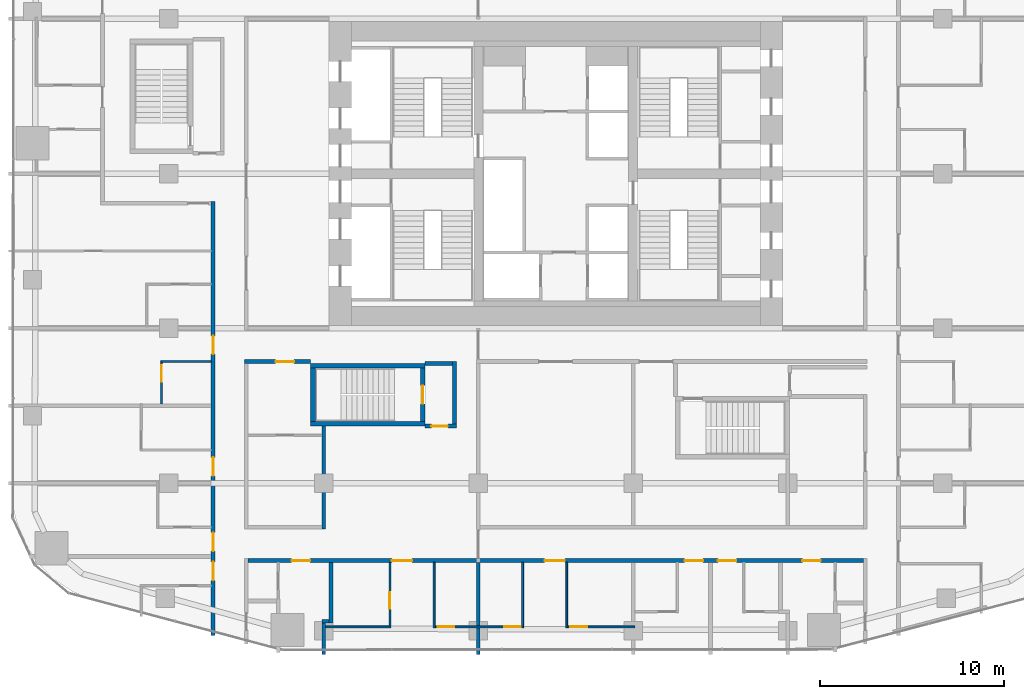
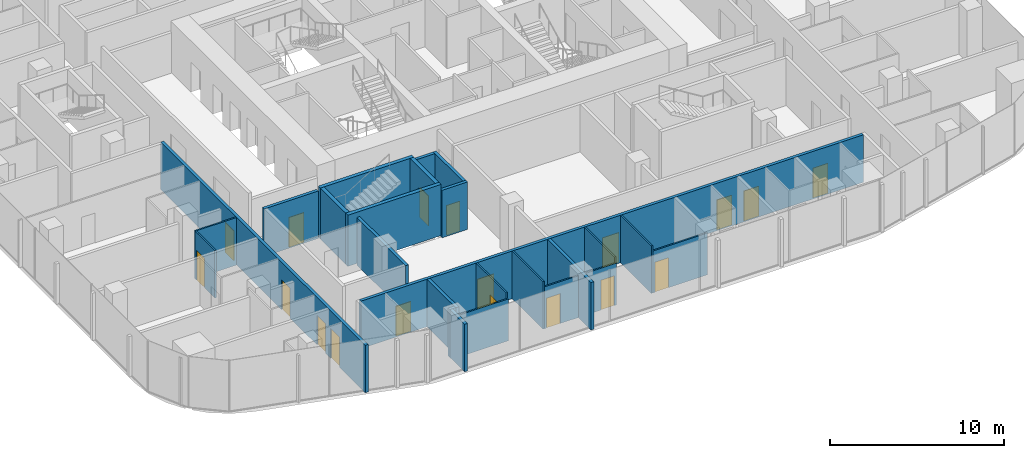
# One storey, part 16 of 26: 24 walls, 18 doors, 18 openings.
"""IFC4 building model written with IfcOpenShell, lengths in metres."""

from ifc_helpers import new_model, si_unit, direction, frame, frame_2d, origin, place, context, subcontext, project, spatial, rectangle, extrude, material, layer, layer_set, type_object, element, fill, save


model = new_model("IFC4")

# Units and contexts
model_context = context("Model", 3, precision=1e-05, world=origin(), true_north=direction((0.0, 1.0)))
body_context = subcontext(model_context, "Body", "Model", "MODEL_VIEW")
ifc_project = project(units=[si_unit("LENGTHUNIT", "METRE"), si_unit("AREAUNIT", "SQUARE_METRE"), si_unit("VOLUMEUNIT", "CUBIC_METRE"), si_unit("PLANEANGLEUNIT", "RADIAN"), si_unit("MASSUNIT", "GRAM", prefix="KILO")], contexts=[model_context])

# Site, building, storey
site_placement = place(None, origin())
site = spatial("IfcSite", under=ifc_project, at=site_placement, CompositionType="ELEMENT")
building_placement = place(site_placement, origin())
building = spatial("IfcBuilding", under=site, at=building_placement, Name="Marenta Gate Hotel Tower", CompositionType="ELEMENT")
storey_placement = place(building_placement, frame((0.0, 0.0, 72.5)))
storey = spatial("IfcBuildingStorey", under=building, at=storey_placement, Name="L16", CompositionType="ELEMENT", Elevation=72.5)

# Walls
ifc_material_1 = material(Name="Concrete blockwork", Category="masonry")
ifc_layer_1 = layer(ifc_material_1, 0.199951171875)
ifc_layer_set_1 = layer_set([ifc_layer_1], Name="Concrete blockwork")
wall_type_1 = type_object("IfcWallType", Name="Compartment wall 200 REI 180", PredefinedType="PARTITIONING", material=ifc_layer_set_1)
wall_1_placement = place(storey_placement, frame((-4.199951171875, -17.699951171875, 0.0), z_axis=(0.0, 0.0, 1.0), x_axis=(0.0, 1.0, 0.0)))
element("IfcWall", 1, at=wall_1_placement, inside=storey, type_object=wall_type_1, Name="L16-PTN-W075", PredefinedType="PARTITIONING", context=body_context, shape_type="SweptSolid", body=[
    extrude(rectangle(XDim=5.0, YDim=0.199951171875, at=frame_2d((2.5, 0.0))), origin(), (0.0, 0.0, 1.0), 3.340087890625),
])
ifc_material_2 = material(Name="Concrete C40", Category="concrete")
ifc_layer_2 = layer(ifc_material_2, 0.25)
ifc_layer_set_2 = layer_set([ifc_layer_2], Name="Concrete C40")
wall_type_2 = type_object("IfcWallType", Name="Remote stair enclosure wall 250 REI 180", PredefinedType="SHEAR", material=ifc_layer_set_2)
for number, where, z_axis, x_axis, name in (
    (2, (-13.300048828125, -5.175048828125, 0.10009765625), (0.0, 0.0, 1.0), (1.0, 0.0, 0.0), "L16-RS-Z1-2-W1"),
    (3, (-13.300048828125, -2.02490234375, 0.10009765625), (0.0, 0.0, 1.0), (1.0, 0.0, 0.0), "L16-RS-Z1-2-W2"),
):
    element("IfcWall", number, at=place(storey_placement, frame(where, z_axis=z_axis, x_axis=x_axis)), inside=storey, type_object=wall_type_2, Name=name, PredefinedType="SHEAR", context=body_context, shape_type="SweptSolid", body=[
        extrude(rectangle(XDim=6.199951171875, YDim=0.25, at=frame_2d((3.10009765625, 0.0))), origin(), (0.0, 0.0, 1.0), 3.599853515625),
    ])
wall_2_placement = place(storey_placement, frame((-13.175048828125, -5.050048828125, 0.10009765625), z_axis=(0.0, 0.0, 1.0), x_axis=(0.0, 1.0, 0.0)))
element("IfcWall", 4, at=wall_2_placement, inside=storey, type_object=wall_type_2, Name="L16-RS-Z1-2-W3", PredefinedType="SHEAR", context=body_context, shape_type="SweptSolid", body=[
    extrude(rectangle(XDim=2.900146484375, YDim=0.25, at=frame_2d((1.4501953125, 0.0))), origin(), (0.0, 0.0, 1.0), 3.599853515625),
])

# Wall, opening, door
wall_3_placement = place(storey_placement, frame((-7.22509765625, -5.050048828125, 0.10009765625), z_axis=(0.0, 0.0, 1.0), x_axis=(0.0, 1.0, 0.0)))
wall_3 = element("IfcWall", 5, at=wall_3_placement, inside=storey, type_object=wall_type_2, Name="L16-RS-Z1-2-W4", PredefinedType="SHEAR", context=body_context, shape_type="SweptSolid", body=[
    extrude(rectangle(XDim=2.900146484375, YDim=0.25, at=frame_2d((1.4501953125, 0.0))), origin(), (0.0, 0.0, 1.0), 3.599853515625),
])
opening_1_placement = place(wall_3_placement, frame((0.949951171875, 0.0, 0.0)))
opening_1 = element("IfcOpeningElement", 6, at=opening_1_placement, cuts=wall_3, Name="Opening VD", PredefinedType="OPENING", context=body_context, shape_type="SweptSolid", body=[
    extrude(rectangle(XDim=1.0, YDim=2.10009765625, at=frame_2d((0.5, 1.050048828125))), frame((0.0, 0.125, 0.0), z_axis=(0.0, -1.0, 0.0), x_axis=(1.0, 0.0, 0.0)), (0.0, 0.0, 1.0), 0.25),
])
ifc_material_3 = material(Name="Steel", Category="steel")
door_type_1 = type_object("IfcDoorType", Name="Stair vestibule door 1000x2100 FD60", OperationType="SINGLE_SWING_LEFT", PredefinedType="DOOR", material=ifc_material_3)
door_1_placement = place(opening_1_placement, origin())
door_1 = element("IfcDoor", 7, at=door_1_placement, inside=storey, type_object=door_type_1, Name="VD", OperationType="SINGLE_SWING_LEFT", OverallHeight=2.10009765625, OverallWidth=1.0, PredefinedType="DOOR", context=body_context, shape_type="SweptSolid", body=[
    extrude(rectangle(XDim=1.0, YDim=2.10009765625, at=frame_2d((0.5, 1.050048828125))), frame((0.0, 0.02490234375, 0.0), z_axis=(0.0, -1.0, 0.0), x_axis=(1.0, 0.0, 0.0)), (0.0, 0.0, 1.0), 0.050048828125),
])
fill(opening_1, door_1)

# Wall, openings, doors
ifc_material_4 = material(Name="Gypsum board on steel stud", Category="steel")
ifc_layer_3 = layer(ifc_material_4, 0.199951171875)
ifc_layer_set_3 = layer_set([ifc_layer_3], Name="Gypsum board on steel stud")
wall_type_3 = type_object("IfcWallType", Name="Room corridor wall 200 EI 60", PredefinedType="PARTITIONING", material=ifc_layer_set_3)
wall_4_placement = place(storey_placement, frame((-16.699951171875, -12.60009765625, 0.0), z_axis=(0.0, 0.0, 1.0), x_axis=(1.0, 0.0, 0.0)))
wall_4 = element("IfcWall", 8, at=wall_4_placement, inside=storey, type_object=wall_type_3, Name="L16-PTN-W033", PredefinedType="PARTITIONING", context=body_context, shape_type="SweptSolid", body=[
    extrude(rectangle(XDim=33.39990234375, YDim=0.199951171875, at=frame_2d((16.699951171875, 0.0))), origin(), (0.0, 0.0, 1.0), 3.340087890625),
])
opening_2_placement = place(wall_4_placement, frame((7.800048828125, 0.0, 0.0)))
opening_2 = element("IfcOpeningElement", 9, at=opening_2_placement, cuts=wall_4, Name="Opening G06-32", PredefinedType="OPENING", context=body_context, shape_type="SweptSolid", body=[
    extrude(rectangle(XDim=1.10009765625, YDim=2.10009765625, at=frame_2d((0.550048828125, 1.050048828125))), frame((0.0, 0.10009765625, 0.0), z_axis=(0.0, -1.0, 0.0), x_axis=(1.0, 0.0, 0.0)), (0.0, 0.0, 1.0), 0.199951171875),
])
opening_3_placement = place(wall_4_placement, frame((16.10009765625, 0.0, 0.0)))
opening_3 = element("IfcOpeningElement", 10, at=opening_3_placement, cuts=wall_4, Name="Opening G06-35", PredefinedType="OPENING", context=body_context, shape_type="SweptSolid", body=[
    extrude(rectangle(XDim=1.10009765625, YDim=2.10009765625, at=frame_2d((0.550048828125, 1.050048828125))), frame((0.0, 0.10009765625, 0.0), z_axis=(0.0, -1.0, 0.0), x_axis=(1.0, 0.0, 0.0)), (0.0, 0.0, 1.0), 0.199951171875),
])
opening_4_placement = place(wall_4_placement, frame((23.699951171875, 0.0, 0.0)))
opening_4 = element("IfcOpeningElement", 11, at=opening_4_placement, cuts=wall_4, Name="Opening G06-38", PredefinedType="OPENING", context=body_context, shape_type="SweptSolid", body=[
    extrude(rectangle(XDim=1.0, YDim=2.10009765625, at=frame_2d((0.5, 1.050048828125))), frame((0.0, 0.10009765625, 0.0), z_axis=(0.0, -1.0, 0.0), x_axis=(1.0, 0.0, 0.0)), (0.0, 0.0, 1.0), 0.199951171875),
])
opening_5_placement = place(wall_4_placement, frame((25.5, 0.0, 0.0)))
opening_5 = element("IfcOpeningElement", 12, at=opening_5_placement, cuts=wall_4, Name="Opening G06-40", PredefinedType="OPENING", context=body_context, shape_type="SweptSolid", body=[
    extrude(rectangle(XDim=1.0, YDim=2.10009765625, at=frame_2d((0.5, 1.050048828125))), frame((0.0, 0.10009765625, 0.0), z_axis=(0.0, -1.0, 0.0), x_axis=(1.0, 0.0, 0.0)), (0.0, 0.0, 1.0), 0.199951171875),
])
opening_6_placement = place(wall_4_placement, frame((2.366943359375, 0.0, 0.0)))
opening_6 = element("IfcOpeningElement", 13, at=opening_6_placement, cuts=wall_4, Name="Opening G06-76", PredefinedType="OPENING", context=body_context, shape_type="SweptSolid", body=[
    extrude(rectangle(XDim=1.0, YDim=2.10009765625, at=frame_2d((0.5, 1.050048828125))), frame((0.0, 0.10009765625, 0.0), z_axis=(0.0, -1.0, 0.0), x_axis=(1.0, 0.0, 0.0)), (0.0, 0.0, 1.0), 0.199951171875),
])
opening_7_placement = place(wall_4_placement, frame((30.0830078125, 0.0, 0.0)))
opening_7 = element("IfcOpeningElement", 14, at=opening_7_placement, cuts=wall_4, Name="Opening G06-79", PredefinedType="OPENING", context=body_context, shape_type="SweptSolid", body=[
    extrude(rectangle(XDim=1.0, YDim=2.10009765625, at=frame_2d((0.5, 1.050048828125))), frame((0.0, 0.10009765625, 0.0), z_axis=(0.0, -1.0, 0.0), x_axis=(1.0, 0.0, 0.0)), (0.0, 0.0, 1.0), 0.199951171875),
])
ifc_material_5 = material(Name="Timber door leaf", Category="wood")
door_type_2 = type_object("IfcDoorType", Name="Guest room door 1000x2100 EI 30", OperationType="NOTDEFINED", PredefinedType="DOOR", material=ifc_material_5)
door_2_placement = place(opening_4_placement, origin())
door_2 = element("IfcDoor", 15, at=door_2_placement, inside=storey, type_object=door_type_2, Name="L16-PD-D038", OperationType="SINGLE_SWING_RIGHT", OverallHeight=2.10009765625, OverallWidth=1.0, PredefinedType="DOOR", context=body_context, shape_type="SweptSolid", body=[
    extrude(rectangle(XDim=1.0, YDim=2.10009765625, at=frame_2d((0.5, 1.050048828125))), frame((0.0, 0.02490234375, 0.0), z_axis=(0.0, -1.0, 0.0), x_axis=(1.0, 0.0, 0.0)), (0.0, 0.0, 1.0), 0.050048828125),
])
fill(opening_4, door_2)
door_3_placement = place(opening_5_placement, origin())
door_3 = element("IfcDoor", 16, at=door_3_placement, inside=storey, type_object=door_type_2, Name="L16-PD-D040", OperationType="SINGLE_SWING_RIGHT", OverallHeight=2.10009765625, OverallWidth=1.0, PredefinedType="DOOR", context=body_context, shape_type="SweptSolid", body=[
    extrude(rectangle(XDim=1.0, YDim=2.10009765625, at=frame_2d((0.5, 1.050048828125))), frame((0.0, 0.02490234375, 0.0), z_axis=(0.0, -1.0, 0.0), x_axis=(1.0, 0.0, 0.0)), (0.0, 0.0, 1.0), 0.050048828125),
])
fill(opening_5, door_3)
door_4_placement = place(opening_6_placement, origin())
door_4 = element("IfcDoor", 17, at=door_4_placement, inside=storey, type_object=door_type_2, Name="L16-PD-D076", OperationType="SINGLE_SWING_RIGHT", OverallHeight=2.10009765625, OverallWidth=1.0, PredefinedType="DOOR", context=body_context, shape_type="SweptSolid", body=[
    extrude(rectangle(XDim=1.0, YDim=2.10009765625, at=frame_2d((0.5, 1.050048828125))), frame((0.0, 0.02490234375, 0.0), z_axis=(0.0, -1.0, 0.0), x_axis=(1.0, 0.0, 0.0)), (0.0, 0.0, 1.0), 0.050048828125),
])
fill(opening_6, door_4)
door_5_placement = place(opening_7_placement, origin())
door_5 = element("IfcDoor", 18, at=door_5_placement, inside=storey, type_object=door_type_2, Name="L16-PD-D079", OperationType="SINGLE_SWING_LEFT", OverallHeight=2.10009765625, OverallWidth=1.0, PredefinedType="DOOR", context=body_context, shape_type="SweptSolid", body=[
    extrude(rectangle(XDim=1.0, YDim=2.10009765625, at=frame_2d((0.5, 1.050048828125))), frame((0.0, 0.02490234375, 0.0), z_axis=(0.0, -1.0, 0.0), x_axis=(1.0, 0.0, 0.0)), (0.0, 0.0, 1.0), 0.050048828125),
])
fill(opening_7, door_5)
ifc_material_6 = material(Name="Timber door leaf", Category="wood")
door_type_3 = type_object("IfcDoorType", Name="Guest room door 1100x2100 EI 30", OperationType="NOTDEFINED", PredefinedType="DOOR", material=ifc_material_6)
door_6_placement = place(opening_2_placement, origin())
door_6 = element("IfcDoor", 19, at=door_6_placement, inside=storey, type_object=door_type_3, Name="L16-PD-D032", OperationType="SINGLE_SWING_RIGHT", OverallHeight=2.10009765625, OverallWidth=1.10009765625, PredefinedType="DOOR", context=body_context, shape_type="SweptSolid", body=[
    extrude(rectangle(XDim=1.10009765625, YDim=2.10009765625, at=frame_2d((0.550048828125, 1.050048828125))), frame((0.0, 0.02490234375, 0.0), z_axis=(0.0, -1.0, 0.0), x_axis=(1.0, 0.0, 0.0)), (0.0, 0.0, 1.0), 0.050048828125),
])
fill(opening_2, door_6)
door_7_placement = place(opening_3_placement, origin())
door_7 = element("IfcDoor", 20, at=door_7_placement, inside=storey, type_object=door_type_3, Name="L16-PD-D035", OperationType="SINGLE_SWING_LEFT", OverallHeight=2.10009765625, OverallWidth=1.10009765625, PredefinedType="DOOR", context=body_context, shape_type="SweptSolid", body=[
    extrude(rectangle(XDim=1.10009765625, YDim=2.10009765625, at=frame_2d((0.550048828125, 1.050048828125))), frame((0.0, 0.02490234375, 0.0), z_axis=(0.0, -1.0, 0.0), x_axis=(1.0, 0.0, 0.0)), (0.0, 0.0, 1.0), 0.050048828125),
])
fill(opening_3, door_7)

# Wall, opening, door
wall_5_placement = place(storey_placement, frame((-16.89990234375, -1.800048828125, 0.0), z_axis=(0.0, 0.0, 1.0), x_axis=(1.0, 0.0, 0.0)))
wall_5 = element("IfcWall", 21, at=wall_5_placement, inside=storey, type_object=wall_type_3, Name="L16-PTN-W065", PredefinedType="PARTITIONING", context=body_context, shape_type="SweptSolid", body=[
    extrude(rectangle(XDim=3.599853515625, YDim=0.199951171875, at=frame_2d((1.7998046875, 0.0))), origin(), (0.0, 0.0, 1.0), 3.340087890625),
])
opening_8_placement = place(wall_5_placement, frame((1.699951171875, 0.0, 0.0)))
opening_8 = element("IfcOpeningElement", 22, at=opening_8_placement, cuts=wall_5, Name="Opening G06-02", PredefinedType="OPENING", context=body_context, shape_type="SweptSolid", body=[
    extrude(rectangle(XDim=1.0, YDim=2.10009765625, at=frame_2d((0.5, 1.050048828125))), frame((0.0, 0.10009765625, 0.0), z_axis=(0.0, -1.0, 0.0), x_axis=(1.0, 0.0, 0.0)), (0.0, 0.0, 1.0), 0.199951171875),
])
ifc_material_7 = material(Name="Hollow steel door set", Category="steel")
door_type_4 = type_object("IfcDoorType", Name="Room service door 1000x2100 EI 30", OperationType="NOTDEFINED", PredefinedType="DOOR", material=ifc_material_7)
door_8_placement = place(opening_8_placement, origin())
door_8 = element("IfcDoor", 23, at=door_8_placement, inside=storey, type_object=door_type_4, Name="L16-PD-D002", OperationType="SINGLE_SWING_RIGHT", OverallHeight=2.10009765625, OverallWidth=1.0, PredefinedType="DOOR", context=body_context, shape_type="SweptSolid", body=[
    extrude(rectangle(XDim=1.0, YDim=2.10009765625, at=frame_2d((0.5, 1.050048828125))), frame((0.0, 0.02490234375, 0.0), z_axis=(0.0, -1.0, 0.0), x_axis=(1.0, 0.0, 0.0)), (0.0, 0.0, 1.0), 0.050048828125),
])
fill(opening_8, door_8)

# Wall
wall_6_placement = place(storey_placement, frame((-12.60009765625, -10.89990234375, 0.0), z_axis=(0.0, 0.0, 1.0), x_axis=(0.0, 1.0, 0.0)))
element("IfcWall", 24, at=wall_6_placement, inside=storey, type_object=wall_type_3, Name="L16-PTN-W096", PredefinedType="PARTITIONING", context=body_context, shape_type="SweptSolid", body=[
    extrude(rectangle(XDim=5.599853515625, YDim=0.199951171875, at=frame_2d((2.7998046875, 0.0))), origin(), (0.0, 0.0, 1.0), 3.340087890625),
])

# Wall, openings, doors
wall_7_placement = place(storey_placement, frame((-18.60009765625, -16.6650390625, 0.0), z_axis=(0.0, 0.0, 1.0), x_axis=(0.0, 1.0, 0.0)))
wall_7 = element("IfcWall", 25, at=wall_7_placement, inside=storey, type_object=wall_type_3, Name="L16-PTN-W112", PredefinedType="PARTITIONING", context=body_context, shape_type="SweptSolid", body=[
    extrude(rectangle(XDim=23.56494140625, YDim=0.199951171875, at=frame_2d((11.782470703125, 0.0))), origin(), (0.0, 0.0, 1.0), 3.340087890625),
])
opening_9_placement = place(wall_7_placement, frame((2.990966796875, 0.0, 0.0)))
opening_9 = element("IfcOpeningElement", 26, at=opening_9_placement, cuts=wall_7, Name="Opening G06-42", PredefinedType="OPENING", context=body_context, shape_type="SweptSolid", body=[
    extrude(rectangle(XDim=1.0, YDim=2.10009765625, at=frame_2d((0.5, 1.050048828125))), frame((0.0, 0.10009765625, 0.0), z_axis=(0.0, -1.0, 0.0), x_axis=(1.0, 0.0, 0.0)), (0.0, 0.0, 1.0), 0.199951171875),
])
opening_10_placement = place(wall_7_placement, frame((4.573974609375, 0.0, 0.0)))
opening_10 = element("IfcOpeningElement", 27, at=opening_10_placement, cuts=wall_7, Name="Opening G06-44", PredefinedType="OPENING", context=body_context, shape_type="SweptSolid", body=[
    extrude(rectangle(XDim=1.0, YDim=2.10009765625, at=frame_2d((0.5, 1.050048828125))), frame((0.0, 0.10009765625, 0.0), z_axis=(0.0, -1.0, 0.0), x_axis=(1.0, 0.0, 0.0)), (0.0, 0.0, 1.0), 0.199951171875),
])
opening_11_placement = place(wall_7_placement, frame((8.6650390625, 0.0, 0.0)))
opening_11 = element("IfcOpeningElement", 28, at=opening_11_placement, cuts=wall_7, Name="Opening G06-46", PredefinedType="OPENING", context=body_context, shape_type="SweptSolid", body=[
    extrude(rectangle(XDim=1.0, YDim=2.10009765625, at=frame_2d((0.5, 1.050048828125))), frame((0.0, 0.10009765625, 0.0), z_axis=(0.0, -1.0, 0.0), x_axis=(1.0, 0.0, 0.0)), (0.0, 0.0, 1.0), 0.199951171875),
])
opening_12_placement = place(wall_7_placement, frame((15.264892578125, 0.0, 0.0)))
opening_12 = element("IfcOpeningElement", 29, at=opening_12_placement, cuts=wall_7, Name="Opening G06-48", PredefinedType="OPENING", context=body_context, shape_type="SweptSolid", body=[
    extrude(rectangle(XDim=1.0, YDim=2.10009765625, at=frame_2d((0.5, 1.050048828125))), frame((0.0, 0.10009765625, 0.0), z_axis=(0.0, -1.0, 0.0), x_axis=(1.0, 0.0, 0.0)), (0.0, 0.0, 1.0), 0.199951171875),
])
door_9_placement = place(opening_9_placement, origin())
door_9 = element("IfcDoor", 30, at=door_9_placement, inside=storey, type_object=door_type_2, Name="L16-PD-D042", OperationType="SINGLE_SWING_LEFT", OverallHeight=2.10009765625, OverallWidth=1.0, PredefinedType="DOOR", context=body_context, shape_type="SweptSolid", body=[
    extrude(rectangle(XDim=1.0, YDim=2.10009765625, at=frame_2d((0.5, 1.050048828125))), frame((0.0, 0.02490234375, 0.0), z_axis=(0.0, -1.0, 0.0), x_axis=(1.0, 0.0, 0.0)), (0.0, 0.0, 1.0), 0.050048828125),
])
fill(opening_9, door_9)
door_10_placement = place(opening_10_placement, origin())
door_10 = element("IfcDoor", 31, at=door_10_placement, inside=storey, type_object=door_type_2, Name="L16-PD-D044", OperationType="SINGLE_SWING_LEFT", OverallHeight=2.10009765625, OverallWidth=1.0, PredefinedType="DOOR", context=body_context, shape_type="SweptSolid", body=[
    extrude(rectangle(XDim=1.0, YDim=2.10009765625, at=frame_2d((0.5, 1.050048828125))), frame((0.0, 0.02490234375, 0.0), z_axis=(0.0, -1.0, 0.0), x_axis=(1.0, 0.0, 0.0)), (0.0, 0.0, 1.0), 0.050048828125),
])
fill(opening_10, door_10)
door_11_placement = place(opening_11_placement, origin())
door_11 = element("IfcDoor", 32, at=door_11_placement, inside=storey, type_object=door_type_2, Name="L16-PD-D046", OperationType="SINGLE_SWING_LEFT", OverallHeight=2.10009765625, OverallWidth=1.0, PredefinedType="DOOR", context=body_context, shape_type="SweptSolid", body=[
    extrude(rectangle(XDim=1.0, YDim=2.10009765625, at=frame_2d((0.5, 1.050048828125))), frame((0.0, 0.02490234375, 0.0), z_axis=(0.0, -1.0, 0.0), x_axis=(1.0, 0.0, 0.0)), (0.0, 0.0, 1.0), 0.050048828125),
])
fill(opening_11, door_11)
door_12_placement = place(opening_12_placement, origin())
door_12 = element("IfcDoor", 33, at=door_12_placement, inside=storey, type_object=door_type_2, Name="L16-PD-D048", OperationType="SINGLE_SWING_LEFT", OverallHeight=2.10009765625, OverallWidth=1.0, PredefinedType="DOOR", context=body_context, shape_type="SweptSolid", body=[
    extrude(rectangle(XDim=1.0, YDim=2.10009765625, at=frame_2d((0.5, 1.050048828125))), frame((0.0, 0.02490234375, 0.0), z_axis=(0.0, -1.0, 0.0), x_axis=(1.0, 0.0, 0.0)), (0.0, 0.0, 1.0), 0.050048828125),
])
fill(opening_12, door_12)

# Wall, opening, door
ifc_material_8 = material(Name="Concrete blockwork", Category="masonry")
ifc_layer_4 = layer(ifc_material_8, 0.199951171875)
ifc_layer_set_4 = layer_set([ifc_layer_4], Name="Concrete blockwork")
wall_type_4 = type_object("IfcWallType", Name="Room corridor wall 200 REI 180", PredefinedType="PARTITIONING", material=ifc_layer_set_4)
wall_8_placement = place(storey_placement, frame((-7.10009765625, -5.300048828125, 0.0), z_axis=(0.0, 0.0, 1.0), x_axis=(1.0, 0.0, 0.0)))
wall_8 = element("IfcWall", 34, at=wall_8_placement, inside=storey, type_object=wall_type_4, Name="L16-PTN-W052", PredefinedType="PARTITIONING", context=body_context, shape_type="SweptSolid", body=[
    extrude(rectangle(XDim=1.7001953125, YDim=0.199951171875, at=frame_2d((0.85009765625, 0.0))), origin(), (0.0, 0.0, 1.0), 3.340087890625),
])
opening_13_placement = place(wall_8_placement, frame((0.35009765625, 0.0, 0.0)))
opening_13 = element("IfcOpeningElement", 35, at=opening_13_placement, cuts=wall_8, Name="Opening G06-62", PredefinedType="OPENING", context=body_context, shape_type="SweptSolid", body=[
    extrude(rectangle(XDim=0.89990234375, YDim=2.10009765625, at=frame_2d((0.449951171875, 1.050048828125))), frame((0.0, 0.10009765625, 0.0), z_axis=(0.0, -1.0, 0.0), x_axis=(1.0, 0.0, 0.0)), (0.0, 0.0, 1.0), 0.199951171875),
])
ifc_material_9 = material(Name="Hollow steel door set", Category="steel")
door_type_5 = type_object("IfcDoorType", Name="Stair vestibule door 900x2100 EI 60", OperationType="NOTDEFINED", PredefinedType="DOOR", material=ifc_material_9)
door_13_placement = place(opening_13_placement, origin())
door_13 = element("IfcDoor", 36, at=door_13_placement, inside=storey, type_object=door_type_5, Name="L16-PD-D062", OperationType="SINGLE_SWING_RIGHT", OverallHeight=2.10009765625, OverallWidth=0.89990234375, PredefinedType="DOOR", context=body_context, shape_type="SweptSolid", body=[
    extrude(rectangle(XDim=0.89990234375, YDim=2.10009765625, at=frame_2d((0.449951171875, 1.050048828125))), frame((0.0, 0.02490234375, 0.0), z_axis=(0.0, -1.0, 0.0), x_axis=(1.0, 0.0, 0.0)), (0.0, 0.0, 1.0), 0.050048828125),
])
fill(opening_13, door_13)

# Walls
wall_9_placement = place(storey_placement, frame((-7.10009765625, -1.89990234375, 0.0), z_axis=(0.0, 0.0, 1.0), x_axis=(1.0, 0.0, 0.0)))
element("IfcWall", 37, at=wall_9_placement, inside=storey, type_object=wall_type_4, Name="L16-PTN-W061", PredefinedType="PARTITIONING", context=body_context, shape_type="SweptSolid", body=[
    extrude(rectangle(XDim=1.5, YDim=0.199951171875, at=frame_2d((0.75, 0.0))), origin(), (0.0, 0.0, 1.0), 3.340087890625),
])
wall_10_placement = place(storey_placement, frame((-5.5, -5.199951171875, 0.0), z_axis=(0.0, 0.0, 1.0), x_axis=(0.0, 1.0, 0.0)))
element("IfcWall", 38, at=wall_10_placement, inside=storey, type_object=wall_type_4, Name="L16-PTN-W080", PredefinedType="PARTITIONING", context=body_context, shape_type="SweptSolid", body=[
    extrude(rectangle(XDim=3.39990234375, YDim=0.199951171875, at=frame_2d((1.699951171875, 0.0))), origin(), (0.0, 0.0, 1.0), 3.340087890625),
])
ifc_material_10 = material(Name="Gypsum board on steel stud", Category="steel")
ifc_layer_5 = layer(ifc_material_10, 0.10009765625)
ifc_layer_set_5 = layer_set([ifc_layer_5], Name="Gypsum board on steel stud")
wall_type_5 = type_object("IfcWallType", Name="Room partition 100", PredefinedType="PARTITIONING", material=ifc_layer_set_5)
wall_11_placement = place(storey_placement, frame((-12.5, -16.199951171875, 0.0), z_axis=(0.0, 0.0, 1.0), x_axis=(1.0, 0.0, 0.0)))
element("IfcWall", 39, at=wall_11_placement, inside=storey, type_object=wall_type_5, Name="L16-PTN-W014", PredefinedType="PARTITIONING", context=body_context, shape_type="SweptSolid", body=[
    extrude(rectangle(XDim=3.550048828125, YDim=0.10009765625, at=frame_2d((1.77490234375, 0.0))), origin(), (0.0, 0.0, 1.0), 2.93994140625),
])

# Wall, openings, doors
wall_12_placement = place(storey_placement, frame((-6.550048828125, -16.199951171875, 0.0), z_axis=(0.0, 0.0, 1.0), x_axis=(1.0, 0.0, 0.0)))
wall_12 = element("IfcWall", 40, at=wall_12_placement, inside=storey, type_object=wall_type_5, Name="L16-PTN-W015", PredefinedType="PARTITIONING", context=body_context, shape_type="SweptSolid", body=[
    extrude(rectangle(XDim=4.800048828125, YDim=0.10009765625, at=frame_2d((2.39990234375, 0.0))), origin(), (0.0, 0.0, 1.0), 2.93994140625),
])
opening_14_placement = place(wall_12_placement, frame((0.14990234375, 0.0, 0.0)))
opening_14 = element("IfcOpeningElement", 41, at=opening_14_placement, cuts=wall_12, Name="Opening G06-34", PredefinedType="OPENING", context=body_context, shape_type="SweptSolid", body=[
    extrude(rectangle(XDim=0.89990234375, YDim=2.10009765625, at=frame_2d((0.449951171875, 1.050048828125))), frame((0.0, 0.050048828125, 0.0), z_axis=(0.0, -1.0, 0.0), x_axis=(1.0, 0.0, 0.0)), (0.0, 0.0, 1.0), 0.10009765625),
])
opening_15_placement = place(wall_12_placement, frame((3.75, 0.0, 0.0)))
opening_15 = element("IfcOpeningElement", 42, at=opening_15_placement, cuts=wall_12, Name="Opening G06-37", PredefinedType="OPENING", context=body_context, shape_type="SweptSolid", body=[
    extrude(rectangle(XDim=0.89990234375, YDim=2.10009765625, at=frame_2d((0.449951171875, 1.050048828125))), frame((0.0, 0.050048828125, 0.0), z_axis=(0.0, -1.0, 0.0), x_axis=(1.0, 0.0, 0.0)), (0.0, 0.0, 1.0), 0.10009765625),
])
ifc_material_11 = material(Name="Timber door leaf", Category="wood")
door_type_6 = type_object("IfcDoorType", Name="Room inner door 900x2100", OperationType="NOTDEFINED", PredefinedType="DOOR", material=ifc_material_11)
door_14_placement = place(opening_14_placement, origin())
door_14 = element("IfcDoor", 43, at=door_14_placement, inside=storey, type_object=door_type_6, Name="L16-PD-D034", OperationType="SINGLE_SWING_LEFT", OverallHeight=2.10009765625, OverallWidth=0.89990234375, PredefinedType="DOOR", context=body_context, shape_type="SweptSolid", body=[
    extrude(rectangle(XDim=0.89990234375, YDim=2.10009765625, at=frame_2d((0.449951171875, 1.050048828125))), frame((0.0, 0.02490234375, 0.0), z_axis=(0.0, -1.0, 0.0), x_axis=(1.0, 0.0, 0.0)), (0.0, 0.0, 1.0), 0.050048828125),
])
fill(opening_14, door_14)
door_15_placement = place(opening_15_placement, origin())
door_15 = element("IfcDoor", 44, at=door_15_placement, inside=storey, type_object=door_type_6, Name="L16-PD-D037", OperationType="SINGLE_SWING_RIGHT", OverallHeight=2.10009765625, OverallWidth=0.89990234375, PredefinedType="DOOR", context=body_context, shape_type="SweptSolid", body=[
    extrude(rectangle(XDim=0.89990234375, YDim=2.10009765625, at=frame_2d((0.449951171875, 1.050048828125))), frame((0.0, 0.02490234375, 0.0), z_axis=(0.0, -1.0, 0.0), x_axis=(1.0, 0.0, 0.0)), (0.0, 0.0, 1.0), 0.050048828125),
])
fill(opening_15, door_15)

# Wall, opening, door
wall_13_placement = place(storey_placement, frame((0.64990234375, -16.199951171875, 0.0), z_axis=(0.0, 0.0, 1.0), x_axis=(1.0, 0.0, 0.0)))
wall_13 = element("IfcWall", 45, at=wall_13_placement, inside=storey, type_object=wall_type_5, Name="L16-PTN-W016", PredefinedType="PARTITIONING", context=body_context, shape_type="SweptSolid", body=[
    extrude(rectangle(XDim=3.650146484375, YDim=0.10009765625, at=frame_2d((1.8251953125, 0.0))), origin(), (0.0, 0.0, 1.0), 2.93994140625),
])
opening_16_placement = place(wall_13_placement, frame((0.14990234375, 0.0, 0.0)))
opening_16 = element("IfcOpeningElement", 46, at=opening_16_placement, cuts=wall_13, Name="Opening G06-36", PredefinedType="OPENING", context=body_context, shape_type="SweptSolid", body=[
    extrude(rectangle(XDim=0.89990234375, YDim=2.10009765625, at=frame_2d((0.449951171875, 1.050048828125))), frame((0.0, 0.050048828125, 0.0), z_axis=(0.0, -1.0, 0.0), x_axis=(1.0, 0.0, 0.0)), (0.0, 0.0, 1.0), 0.10009765625),
])
ifc_material_12 = material(Name="Timber door leaf", Category="wood")
door_type_7 = type_object("IfcDoorType", Name="Guest bathroom door 900x2100", OperationType="NOTDEFINED", PredefinedType="DOOR", material=ifc_material_12)
door_16_placement = place(opening_16_placement, origin())
door_16 = element("IfcDoor", 47, at=door_16_placement, inside=storey, type_object=door_type_7, Name="L16-PD-D036", OperationType="SINGLE_SWING_LEFT", OverallHeight=2.10009765625, OverallWidth=0.89990234375, PredefinedType="DOOR", context=body_context, shape_type="SweptSolid", body=[
    extrude(rectangle(XDim=0.89990234375, YDim=2.10009765625, at=frame_2d((0.449951171875, 1.050048828125))), frame((0.0, 0.02490234375, 0.0), z_axis=(0.0, -1.0, 0.0), x_axis=(1.0, 0.0, 0.0)), (0.0, 0.0, 1.0), 0.050048828125),
])
fill(opening_16, door_16)

# Walls
wall_14_placement = place(storey_placement, frame((-21.449951171875, -1.800048828125, 0.0), z_axis=(0.0, 0.0, 1.0), x_axis=(1.0, 0.0, 0.0)))
element("IfcWall", 48, at=wall_14_placement, inside=storey, type_object=wall_type_5, Name="L16-PTN-W063", PredefinedType="PARTITIONING", context=body_context, shape_type="SweptSolid", body=[
    extrude(rectangle(XDim=2.75, YDim=0.10009765625, at=frame_2d((1.375, 0.0))), origin(), (0.0, 0.0, 1.0), 3.340087890625),
])
wall_15_placement = place(storey_placement, frame((0.60009765625, -16.25, 0.0), z_axis=(0.0, 0.0, 1.0), x_axis=(0.0, 1.0, 0.0)))
element("IfcWall", 49, at=wall_15_placement, inside=storey, type_object=wall_type_5, Name="L16-PTN-W068", PredefinedType="PARTITIONING", context=body_context, shape_type="SweptSolid", body=[
    extrude(rectangle(XDim=3.550048828125, YDim=0.10009765625, at=frame_2d((1.77490234375, 0.0))), origin(), (0.0, 0.0, 1.0), 3.340087890625),
])
wall_16_placement = place(storey_placement, frame((-1.800048828125, -16.14990234375, 0.0), z_axis=(0.0, 0.0, 1.0), x_axis=(0.0, 1.0, 0.0)))
element("IfcWall", 50, at=wall_16_placement, inside=storey, type_object=wall_type_5, Name="L16-PTN-W072", PredefinedType="PARTITIONING", context=body_context, shape_type="SweptSolid", body=[
    extrude(rectangle(XDim=3.449951171875, YDim=0.10009765625, at=frame_2d((1.72509765625, 0.0))), origin(), (0.0, 0.0, 1.0), 3.340087890625),
])
wall_17_placement = place(storey_placement, frame((-6.60009765625, -16.25, 0.0), z_axis=(0.0, 0.0, 1.0), x_axis=(0.0, 1.0, 0.0)))
element("IfcWall", 51, at=wall_17_placement, inside=storey, type_object=wall_type_5, Name="L16-PTN-W081", PredefinedType="PARTITIONING", context=body_context, shape_type="SweptSolid", body=[
    extrude(rectangle(XDim=3.550048828125, YDim=0.10009765625, at=frame_2d((1.77490234375, 0.0))), origin(), (0.0, 0.0, 1.0), 3.340087890625),
])

# Wall, opening, door
wall_18_placement = place(storey_placement, frame((-9.0, -16.14990234375, 0.0), z_axis=(0.0, 0.0, 1.0), x_axis=(0.0, 1.0, 0.0)))
wall_18 = element("IfcWall", 52, at=wall_18_placement, inside=storey, type_object=wall_type_5, Name="L16-PTN-W088", PredefinedType="PARTITIONING", context=body_context, shape_type="SweptSolid", body=[
    extrude(rectangle(XDim=3.449951171875, YDim=0.10009765625, at=frame_2d((1.72509765625, 0.0))), origin(), (0.0, 0.0, 1.0), 3.340087890625),
])
opening_17_placement = place(wall_18_placement, frame((0.93994140625, 0.0, 0.0)))
opening_17 = element("IfcOpeningElement", 53, at=opening_17_placement, cuts=wall_18, Name="Opening G06-33", PredefinedType="OPENING", context=body_context, shape_type="SweptSolid", body=[
    extrude(rectangle(XDim=0.89990234375, YDim=2.10009765625, at=frame_2d((0.449951171875, 1.050048828125))), frame((0.0, 0.050048828125, 0.0), z_axis=(0.0, -1.0, 0.0), x_axis=(1.0, 0.0, 0.0)), (0.0, 0.0, 1.0), 0.10009765625),
])
door_17_placement = place(opening_17_placement, origin())
door_17 = element("IfcDoor", 54, at=door_17_placement, inside=storey, type_object=door_type_7, Name="L16-PD-D033", OperationType="SINGLE_SWING_LEFT", OverallHeight=2.10009765625, OverallWidth=0.89990234375, PredefinedType="DOOR", context=body_context, shape_type="SweptSolid", body=[
    extrude(rectangle(XDim=0.89990234375, YDim=2.10009765625, at=frame_2d((0.449951171875, 1.050048828125))), frame((0.0, 0.02490234375, 0.0), z_axis=(0.0, -1.0, 0.0), x_axis=(1.0, 0.0, 0.0)), (0.0, 0.0, 1.0), 0.050048828125),
])
fill(opening_17, door_17)

wall_19_placement = place(storey_placement, frame((-21.39990234375, -4.10009765625, 0.0), z_axis=(0.0, 0.0, 1.0), x_axis=(0.0, 1.0, 0.0)))
wall_19 = element("IfcWall", 55, at=wall_19_placement, inside=storey, type_object=wall_type_5, Name="L16-PTN-W122", PredefinedType="PARTITIONING", context=body_context, shape_type="SweptSolid", body=[
    extrude(rectangle(XDim=2.25, YDim=0.10009765625, at=frame_2d((1.125, 0.0))), origin(), (0.0, 0.0, 1.0), 3.340087890625),
])
opening_18_placement = place(wall_19_placement, frame((1.199951171875, 0.0, 0.0)))
opening_18 = element("IfcOpeningElement", 56, at=opening_18_placement, cuts=wall_19, Name="Opening G06-49", PredefinedType="OPENING", context=body_context, shape_type="SweptSolid", body=[
    extrude(rectangle(XDim=0.89990234375, YDim=2.10009765625, at=frame_2d((0.449951171875, 1.050048828125))), frame((0.0, 0.050048828125, 0.0), z_axis=(0.0, -1.0, 0.0), x_axis=(1.0, 0.0, 0.0)), (0.0, 0.0, 1.0), 0.10009765625),
])
door_18_placement = place(opening_18_placement, origin())
door_18 = element("IfcDoor", 57, at=door_18_placement, inside=storey, type_object=door_type_7, Name="L16-PD-D049", OperationType="SINGLE_SWING_LEFT", OverallHeight=2.10009765625, OverallWidth=0.89990234375, PredefinedType="DOOR", context=body_context, shape_type="SweptSolid", body=[
    extrude(rectangle(XDim=0.89990234375, YDim=2.10009765625, at=frame_2d((0.449951171875, 1.050048828125))), frame((0.0, 0.02490234375, 0.0), z_axis=(0.0, -1.0, 0.0), x_axis=(1.0, 0.0, 0.0)), (0.0, 0.0, 1.0), 0.050048828125),
])
fill(opening_18, door_18)

# Walls
ifc_material_13 = material(Name="Gypsum board on steel stud", Category="steel")
ifc_layer_6 = layer(ifc_material_13, 0.199951171875)
ifc_layer_set_6 = layer_set([ifc_layer_6], Name="Gypsum board on steel stud")
wall_type_6 = type_object("IfcWallType", Name="Room party wall 200 EI 60", PredefinedType="PARTITIONING", material=ifc_layer_set_6)
wall_20_placement = place(storey_placement, frame((-12.699951171875, -15.89990234375, 0.0), z_axis=(0.0, 0.0, 1.0), x_axis=(1.0, 0.0, 0.0)))
element("IfcWall", 58, at=wall_20_placement, inside=storey, type_object=wall_type_6, Name="L16-PTN-W017", PredefinedType="PARTITIONING", context=body_context, shape_type="SweptSolid", body=[
    extrude(rectangle(XDim=0.39990234375, YDim=0.199951171875, at=frame_2d((0.199951171875, 0.0))), origin(), (0.0, 0.0, 1.0), 3.340087890625),
])
wall_21_placement = place(storey_placement, frame((-12.199951171875, -16.0, 0.0), z_axis=(0.0, 0.0, 1.0), x_axis=(0.0, 1.0, 0.0)))
element("IfcWall", 59, at=wall_21_placement, inside=storey, type_object=wall_type_6, Name="L16-PTN-W092", PredefinedType="PARTITIONING", context=body_context, shape_type="SweptSolid", body=[
    extrude(rectangle(XDim=3.300048828125, YDim=0.199951171875, at=frame_2d((1.64990234375, 0.0))), origin(), (0.0, 0.0, 1.0), 3.340087890625),
])
wall_22_placement = place(storey_placement, frame((-12.60009765625, -17.699951171875, 0.0), z_axis=(0.0, 0.0, 1.0), x_axis=(0.0, 1.0, 0.0)))
element("IfcWall", 60, at=wall_22_placement, inside=storey, type_object=wall_type_6, Name="L16-PTN-W093", PredefinedType="PARTITIONING", context=body_context, shape_type="SweptSolid", body=[
    extrude(rectangle(XDim=1.699951171875, YDim=0.199951171875, at=frame_2d((0.85009765625, 0.0))), origin(), (0.0, 0.0, 1.0), 3.340087890625),
])

save(model, "model.ifc")
